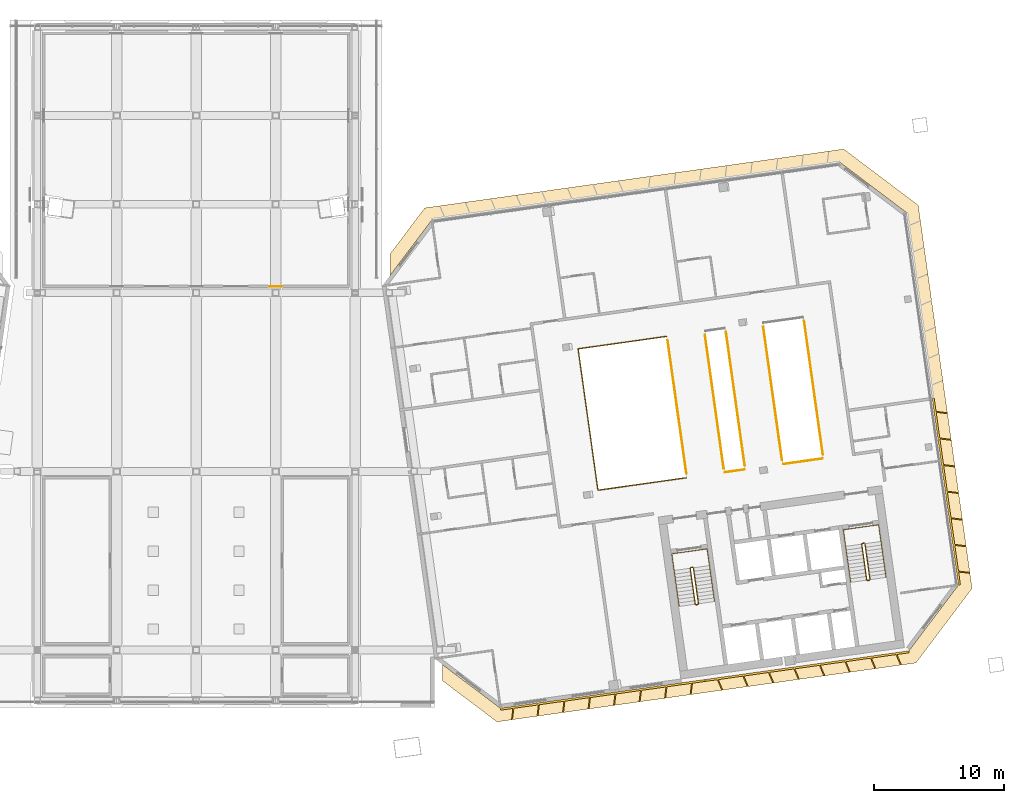
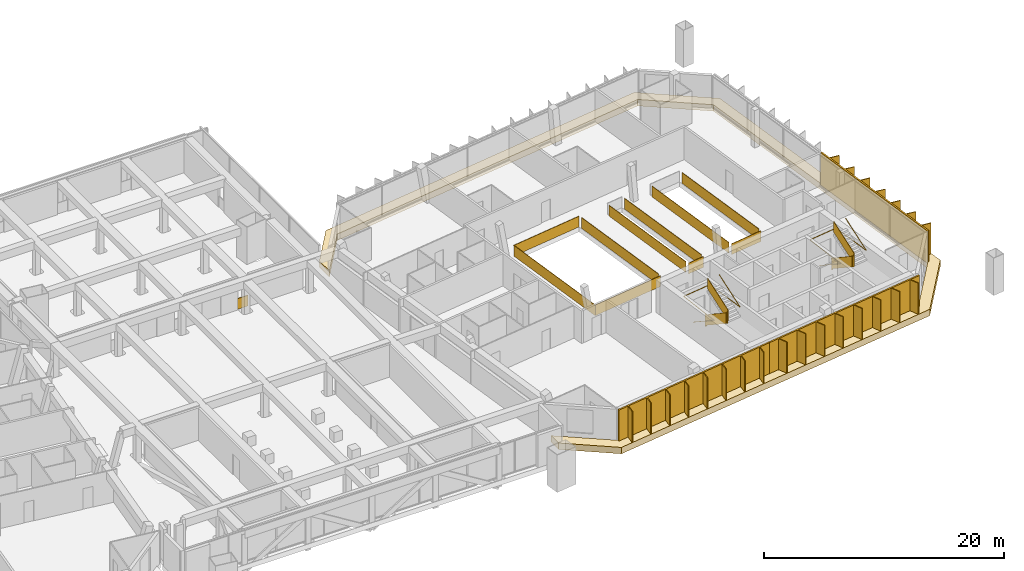
# One storey, part 28 of 30: 13 railings, 3 shading devices, 1 covering.
"""IFC4 building model written with IfcOpenShell, lengths in metres."""

from ifc_helpers import new_model, si_unit, direction, frame, origin, origin_2d, place, context, subcontext, project, spatial, polyline, rectangle, outline, extrude, material, layer, layer_set, type_object, element, save


model = new_model("IFC4")

# Units and contexts
model_context = context("Model", 3, precision=1e-05, world=origin(), true_north=direction((0.0, 1.0)))
body_context = subcontext(model_context, "Body", "Model", "MODEL_VIEW")
ifc_project = project(units=[si_unit("LENGTHUNIT", "METRE"), si_unit("AREAUNIT", "SQUARE_METRE"), si_unit("VOLUMEUNIT", "CUBIC_METRE"), si_unit("PLANEANGLEUNIT", "RADIAN"), si_unit("MASSUNIT", "GRAM", prefix="KILO")], contexts=[model_context])

# Site, building, storey
site_placement = place(None, origin())
site = spatial("IfcSite", under=ifc_project, at=site_placement, CompositionType="ELEMENT")
building_placement = place(site_placement, origin())
building = spatial("IfcBuilding", under=site, at=building_placement, Name="Mirante Cascada Hotel Towers", CompositionType="ELEMENT")
storey_placement = place(building_placement, frame((0.0, 0.0, 258.4)))
storey = spatial("IfcBuildingStorey", under=building, at=storey_placement, Name="L62", CompositionType="ELEMENT", Elevation=258.4)

# Railings
ifc_material_1 = material(Name="Toughened glass with stainless steel handrail", Category="steel")
railing_type_1 = type_object("IfcRailingType", Name="Atrium guard 1100 glass balustrade", PredefinedType="GUARDRAIL", material=ifc_material_1)
railing_1_placement = place(storey_placement, frame((36.2506, 6.5531, 0.0)))
element("IfcRailing", 1, at=railing_1_placement, inside=storey, type_object=railing_type_1, Name="GUARD 2-L62-1", PredefinedType="GUARDRAIL", context=body_context, shape_type="SweptSolid", body=[
    extrude(rectangle(XDim=0.048, YDim=0.048, at=origin_2d()), frame((0.0, 0.0, 1.076), z_axis=(0.0, 1.0, 0.0), x_axis=(-1.0, 0.0, 0.0)), (0.0, 0.0, 1.0), 0.0001),
    extrude(rectangle(XDim=0.02, YDim=1.052, at=origin_2d()), frame((0.0, 0.0, 0.526), z_axis=(0.0, 1.0, 0.0), x_axis=(-1.0, 0.0, 0.0)), (0.0, 0.0, 1.0), 0.0001),
    extrude(rectangle(XDim=0.048, YDim=0.048, at=origin_2d()), frame((0.0, 0.0001, 1.076), z_axis=(-0.9902667, -0.1391827, 0.0), x_axis=(0.1391827, -0.9902667, 0.0)), (0.0, 0.0, 1.0), 6.8802),
    extrude(rectangle(XDim=0.02, YDim=1.052, at=origin_2d()), frame((0.0, 0.0001, 0.526), z_axis=(-0.9902667, -0.1391827, 0.0), x_axis=(0.1391827, -0.9902667, 0.0)), (0.0, 0.0, 1.0), 6.8802),
    extrude(rectangle(XDim=0.048, YDim=0.048, at=origin_2d()), frame((-6.8132, -0.9575, 1.076), z_axis=(0.1391733, -0.990268, 0.0), x_axis=(0.990268, 0.1391733, 0.0)), (0.0, 0.0, 1.0), 11.0),
    extrude(rectangle(XDim=0.02, YDim=1.052, at=origin_2d()), frame((-6.8132, -0.9575, 0.526), z_axis=(0.1391733, -0.990268, 0.0), x_axis=(0.990268, 0.1391733, 0.0)), (0.0, 0.0, 1.0), 11.0),
    extrude(rectangle(XDim=0.048, YDim=0.048, at=origin_2d()), frame((-5.2823, -11.8504, 1.076), z_axis=(0.9902687, 0.1391684, 0.0), x_axis=(-0.1391684, 0.9902687, 0.0)), (0.0, 0.0, 1.0), 6.8802),
    extrude(rectangle(XDim=0.02, YDim=1.052, at=origin_2d()), frame((-5.2823, -11.8504, 0.526), z_axis=(0.9902687, 0.1391684, 0.0), x_axis=(-0.1391684, 0.9902687, 0.0)), (0.0, 0.0, 1.0), 6.8802),
])
railing_2_placement = place(storey_placement, frame((40.7523, -3.9223, 0.0)))
element("IfcRailing", 2, at=railing_2_placement, inside=storey, type_object=railing_type_1, Name="GUARD 2-L62-2", PredefinedType="GUARDRAIL", context=body_context, shape_type="SweptSolid", body=[
    extrude(rectangle(XDim=0.048, YDim=0.048, at=origin_2d()), frame((0.0, 0.0, 1.076), z_axis=(0.9902703, 0.1391573, 0.0), x_axis=(-0.1391573, 0.9902703, 0.0)), (0.0, 0.0, 1.0), 1.54),
    extrude(rectangle(XDim=0.02, YDim=1.052, at=origin_2d()), frame((0.0, 0.0, 0.526), z_axis=(0.9902703, 0.1391573, 0.0), x_axis=(-0.1391573, 0.9902703, 0.0)), (0.0, 0.0, 1.0), 1.54),
])
railing_3_placement = place(storey_placement, frame((45.2481, -3.2904, 0.0)))
element("IfcRailing", 3, at=railing_3_placement, inside=storey, type_object=railing_type_1, Name="GUARD 2-L62-4", PredefinedType="GUARDRAIL", context=body_context, shape_type="SweptSolid", body=[
    extrude(rectangle(XDim=0.048, YDim=0.048, at=origin_2d()), frame((0.0, 0.0, 1.076), z_axis=(0.9902697, 0.1391618, 0.0), x_axis=(-0.1391618, 0.9902697, 0.0)), (0.0, 0.0, 1.0), 3.0799),
    extrude(rectangle(XDim=0.02, YDim=1.052, at=origin_2d()), frame((0.0, 0.0, 0.526), z_axis=(0.9902697, 0.1391618, 0.0), x_axis=(-0.1391618, 0.9902697, 0.0)), (0.0, 0.0, 1.0), 3.0799),
    extrude(rectangle(XDim=0.048, YDim=0.048, at=origin_2d()), frame((3.0499, 0.4286, 1.076), z_axis=(-0.9901485, -0.140021, 0.0), x_axis=(0.140021, -0.9901485, 0.0)), (0.0, 0.0, 1.0), 0.04),
    extrude(rectangle(XDim=0.02, YDim=1.052, at=origin_2d()), frame((3.0499, 0.4286, 0.526), z_axis=(-0.9901485, -0.140021, 0.0), x_axis=(0.140021, -0.9901485, 0.0)), (0.0, 0.0, 1.0), 0.04),
])
railing_4_placement = place(storey_placement, frame((37.7889, -4.0402, 0.0)))
element("IfcRailing", 4, at=railing_4_placement, inside=storey, type_object=railing_type_1, Name="GUARD 2-L62-6", PredefinedType="GUARDRAIL", context=body_context, shape_type="SweptSolid", body=[
    extrude(rectangle(XDim=0.048, YDim=0.048, at=origin_2d()), frame((0.0, 0.0, 1.076), z_axis=(-0.1391721, 0.9902682, 0.0), x_axis=(-0.9902682, -0.1391721, 0.0)), (0.0, 0.0, 1.0), 10.4087),
    extrude(rectangle(XDim=0.02, YDim=1.052, at=origin_2d()), frame((0.0, 0.0, 0.526), z_axis=(-0.1391721, 0.9902682, 0.0), x_axis=(-0.9902682, -0.1391721, 0.0)), (0.0, 0.0, 1.0), 10.4087),
])
railing_5_placement = place(storey_placement, frame((39.214, 6.6711, 0.0)))
element("IfcRailing", 5, at=railing_5_placement, inside=storey, type_object=railing_type_1, Name="GUARD 2-L62-7", PredefinedType="GUARDRAIL", context=body_context, shape_type="SweptSolid", body=[
    extrude(rectangle(XDim=0.048, YDim=0.048, at=origin_2d()), frame((0.0, 0.0, 1.076), z_axis=(0.1391721, -0.9902682, 0.0), x_axis=(0.9902682, 0.1391721, 0.0)), (0.0, 0.0, 1.0), 10.4087),
    extrude(rectangle(XDim=0.02, YDim=1.052, at=origin_2d()), frame((0.0, 0.0, 0.526), z_axis=(0.1391721, -0.9902682, 0.0), x_axis=(0.9902682, 0.1391721, 0.0)), (0.0, 0.0, 1.0), 10.4087),
])
railing_6_placement = place(storey_placement, frame((42.2847, -3.4084, 0.0)))
element("IfcRailing", 6, at=railing_6_placement, inside=storey, type_object=railing_type_1, Name="GUARD 2-L62-8", PredefinedType="GUARDRAIL", context=body_context, shape_type="SweptSolid", body=[
    extrude(rectangle(XDim=0.048, YDim=0.048, at=origin_2d()), frame((0.0, 0.0, 1.076), z_axis=(-0.1391721, 0.9902682, 0.0), x_axis=(-0.9902682, -0.1391721, 0.0)), (0.0, 0.0, 1.0), 10.4087),
    extrude(rectangle(XDim=0.02, YDim=1.052, at=origin_2d()), frame((0.0, 0.0, 0.526), z_axis=(-0.1391721, 0.9902682, 0.0), x_axis=(-0.9902682, -0.1391721, 0.0)), (0.0, 0.0, 1.0), 10.4087),
])
railing_7_placement = place(storey_placement, frame((43.7098, 7.3029, 0.0)))
element("IfcRailing", 7, at=railing_7_placement, inside=storey, type_object=railing_type_1, Name="GUARD 2-L62-9", PredefinedType="GUARDRAIL", context=body_context, shape_type="SweptSolid", body=[
    extrude(rectangle(XDim=0.048, YDim=0.048, at=origin_2d()), frame((0.0, 0.0, 1.076), z_axis=(0.1391721, -0.9902682, 0.0), x_axis=(0.9902682, 0.1391721, 0.0)), (0.0, 0.0, 1.0), 10.4087),
    extrude(rectangle(XDim=0.02, YDim=1.052, at=origin_2d()), frame((0.0, 0.0, 0.526), z_axis=(0.1391721, -0.9902682, 0.0), x_axis=(0.9902682, 0.1391721, 0.0)), (0.0, 0.0, 1.0), 10.4087),
])
railing_8_placement = place(storey_placement, frame((48.3064, -2.5622, 0.0)))
element("IfcRailing", 8, at=railing_8_placement, inside=storey, type_object=railing_type_1, Name="GUARD 2-L62-10", PredefinedType="GUARDRAIL", context=body_context, shape_type="SweptSolid", body=[
    extrude(rectangle(XDim=0.048, YDim=0.048, at=origin_2d()), frame((0.0, 0.0, 1.076), z_axis=(-0.1391776, 0.9902674, 0.0), x_axis=(-0.9902674, -0.1391776, 0.0)), (0.0, 0.0, 1.0), 10.409),
    extrude(rectangle(XDim=0.02, YDim=1.052, at=origin_2d()), frame((0.0, 0.0, 0.526), z_axis=(-0.1391776, 0.9902674, 0.0), x_axis=(-0.9902674, -0.1391776, 0.0)), (0.0, 0.0, 1.0), 10.409),
])

# Covering
ifc_material_2 = material(Name="Precast concrete C40/50 white", Category="concrete")
ifc_layer = layer(ifc_material_2, 0.6)
ifc_layer_set = layer_set([ifc_layer], Name="Precast concrete SUNSHADE band 1000x600")
covering_type = type_object("IfcCoveringType", Name="Precast concrete SUNSHADE band 1000x600", PredefinedType="CLADDING", material=ifc_layer_set)
covering_placement = place(storey_placement, frame((0.0, 0.0, -0.5)))
element("IfcCovering", 9, at=covering_placement, inside=storey, type_object=covering_type, Name="Precast concrete SUNSHADE band T2 L62", PredefinedType="CLADDING", context=body_context, shape_type="SweptSolid", body=[
    extrude(outline(polyline([(49.9078, 20.9944), (55.6518, 16.6659), (59.8032, -12.8722), (55.4747, -18.6163), (23.1839, -23.1545), (18.9724, -19.9809), (18.9724, -18.7288), (23.4549, -22.1066), (54.9253, -17.6837), (58.7552, -12.6012), (54.7192, 16.1166), (49.6367, 19.9465), (18.1663, 15.5236), (14.9364, 11.2374), (14.9364, 12.899), (17.617, 16.4562), (49.9078, 20.9944)])), origin(), (0.0, 0.0, 1.0), 0.65),
])

# Railings
ifc_material_3 = material(Name="Painted steel", Category="steel")
railing_type_2 = type_object("IfcRailingType", Name="Stair guard 1100 steel balustrade", PredefinedType="GUARDRAIL", material=ifc_material_3)
railing_9_placement = place(storey_placement, frame((38.2663, -11.2395, 0.0)))
element("IfcRailing", 10, at=railing_9_placement, inside=storey, type_object=railing_type_2, Name="L62 ST2-A stair guard 1", PredefinedType="GUARDRAIL", context=body_context, shape_type="SweptSolid", body=[
    extrude(rectangle(XDim=0.048, YDim=0.048, at=origin_2d()), frame((0.0, 0.0, 1.076), z_axis=(-0.9903326, -0.1387133, 0.0), x_axis=(0.1387133, -0.9903326, 0.0)), (0.0, 0.0, 1.0), 0.1499),
    extrude(rectangle(XDim=0.02, YDim=1.052, at=origin_2d()), frame((0.0, 0.0, 0.526), z_axis=(-0.9903326, -0.1387133, 0.0), x_axis=(0.1387133, -0.9903326, 0.0)), (0.0, 0.0, 1.0), 0.1499),
    extrude(rectangle(XDim=0.048, YDim=0.048, at=origin_2d()), frame((-0.1485, -0.0208, 1.076), z_axis=(-0.6020331, -0.7984711, 0.0), x_axis=(0.7984711, -0.6020331, 0.0)), (0.0, 0.9253398, 0.3791387), 0.1866),
    extrude(rectangle(XDim=0.02, YDim=1.052, at=origin_2d()), frame((-0.1485, -0.0208, 0.526), z_axis=(-0.6020331, -0.7984711, 0.0), x_axis=(0.7984711, -0.6020331, 0.0)), (0.0, 0.9253398, 0.3791387), 0.1866),
    extrude(rectangle(XDim=0.048, YDim=0.048, at=origin_2d()), frame((-0.1911, -0.0773, 1.2487), z_axis=(0.139176, -0.9902677, 0.0), x_axis=(0.9902677, 0.139176, 0.0)), (0.0, 0.5250212, 0.8510891), 3.29),
    extrude(rectangle(XDim=0.02, YDim=1.052, at=origin_2d()), frame((-0.1911, -0.0773, 0.6987), z_axis=(0.139176, -0.9902677, 0.0), x_axis=(0.9902677, 0.139176, 0.0)), (0.0, 0.5250212, 0.8510891), 3.29),
    extrude(rectangle(XDim=0.048, YDim=0.048, at=origin_2d()), frame((0.1986, -2.8501, 2.976), z_axis=(0.9944948, -0.1047858, 0.0), x_axis=(0.1047858, 0.9944948, 0.0)), (0.0, 0.0, 1.0), 0.2061),
    extrude(rectangle(XDim=0.02, YDim=1.052, at=origin_2d()), frame((0.1986, -2.8501, 2.426), z_axis=(0.9944948, -0.1047858, 0.0), x_axis=(0.1047858, 0.9944948, 0.0)), (0.0, 0.0, 1.0), 0.2061),
    extrude(rectangle(XDim=0.048, YDim=0.048, at=origin_2d()), frame((0.4036, -2.8717, 2.976), z_axis=(-0.9902408, -0.1393672, 0.0), x_axis=(0.1393672, -0.9902408, 0.0)), (0.0, 0.0, 1.0), 0.15),
    extrude(rectangle(XDim=0.02, YDim=1.052, at=origin_2d()), frame((0.4036, -2.8717, 2.426), z_axis=(-0.9902408, -0.1393672, 0.0), x_axis=(0.1393672, -0.9902408, 0.0)), (0.0, 0.0, 1.0), 0.15),
    extrude(rectangle(XDim=0.048, YDim=0.048, at=origin_2d()), frame((0.2551, -2.8926, 2.976), z_axis=(0.9270311, 0.3749843, 0.0), x_axis=(-0.3749843, 0.9270311, 0.0)), (0.0, 0.6421903, 0.7665452), 0.2689),
    extrude(rectangle(XDim=0.02, YDim=1.052, at=origin_2d()), frame((0.2551, -2.8926, 2.426), z_axis=(0.9270311, 0.3749843, 0.0), x_axis=(-0.3749843, 0.9270311, 0.0)), (0.0, 0.6421903, 0.7665452), 0.2689),
    extrude(rectangle(XDim=0.048, YDim=0.048, at=origin_2d()), frame((0.4462, -2.8153, 3.1487), z_axis=(-0.139176, 0.9902677, 0.0), x_axis=(-0.9902677, -0.139176, 0.0)), (0.0, 0.5250212, 0.8510891), 3.29),
    extrude(rectangle(XDim=0.02, YDim=1.052, at=origin_2d()), frame((0.4462, -2.8153, 2.5987), z_axis=(-0.139176, 0.9902677, 0.0), x_axis=(-0.9902677, -0.139176, 0.0)), (0.0, 0.5250212, 0.8510891), 3.29),
])
railing_10_placement = place(storey_placement, frame((51.4864, -9.3815, 0.0)))
element("IfcRailing", 11, at=railing_10_placement, inside=storey, type_object=railing_type_2, Name="L62 ST2-B stair guard 1", PredefinedType="GUARDRAIL", context=body_context, shape_type="SweptSolid", body=[
    extrude(rectangle(XDim=0.048, YDim=0.048, at=origin_2d()), frame((0.0, 0.0, 1.076), z_axis=(-0.9902408, -0.1393672, 0.0), x_axis=(0.1393672, -0.9902408, 0.0)), (0.0, 0.0, 1.0), 0.15),
    extrude(rectangle(XDim=0.02, YDim=1.052, at=origin_2d()), frame((0.0, 0.0, 0.526), z_axis=(-0.9902408, -0.1393672, 0.0), x_axis=(0.1393672, -0.9902408, 0.0)), (0.0, 0.0, 1.0), 0.15),
    extrude(rectangle(XDim=0.048, YDim=0.048, at=origin_2d()), frame((-0.1485, -0.0209, 1.076), z_axis=(-0.6020331, -0.7984711, 0.0), x_axis=(0.7984711, -0.6020331, 0.0)), (0.0, 0.9253398, 0.3791387), 0.1866),
    extrude(rectangle(XDim=0.02, YDim=1.052, at=origin_2d()), frame((-0.1485, -0.0209, 0.526), z_axis=(-0.6020331, -0.7984711, 0.0), x_axis=(0.7984711, -0.6020331, 0.0)), (0.0, 0.9253398, 0.3791387), 0.1866),
    extrude(rectangle(XDim=0.048, YDim=0.048, at=origin_2d()), frame((-0.1911, -0.0774, 1.2487), z_axis=(0.139181, -0.990267, 0.0), x_axis=(0.990267, 0.139181, 0.0)), (0.0, 0.5250347, 0.8510808), 3.2899),
    extrude(rectangle(XDim=0.02, YDim=1.052, at=origin_2d()), frame((-0.1911, -0.0774, 0.6987), z_axis=(0.139181, -0.990267, 0.0), x_axis=(0.990267, 0.139181, 0.0)), (0.0, 0.5250347, 0.8510808), 3.2899),
    extrude(rectangle(XDim=0.048, YDim=0.048, at=origin_2d()), frame((0.1986, -2.8501, 2.976), z_axis=(0.9944441, -0.1052656, 0.0), x_axis=(0.1052656, 0.9944441, 0.0)), (0.0, 0.0, 1.0), 0.2061),
    extrude(rectangle(XDim=0.02, YDim=1.052, at=origin_2d()), frame((0.1986, -2.8501, 2.426), z_axis=(0.9944441, -0.1052656, 0.0), x_axis=(0.1052656, 0.9944441, 0.0)), (0.0, 0.0, 1.0), 0.2061),
    extrude(rectangle(XDim=0.048, YDim=0.048, at=origin_2d()), frame((0.4036, -2.8718, 2.976), z_axis=(-0.9902408, -0.1393672, 0.0), x_axis=(0.1393672, -0.9902408, 0.0)), (0.0, 0.0, 1.0), 0.15),
    extrude(rectangle(XDim=0.02, YDim=1.052, at=origin_2d()), frame((0.4036, -2.8718, 2.426), z_axis=(-0.9902408, -0.1393672, 0.0), x_axis=(0.1393672, -0.9902408, 0.0)), (0.0, 0.0, 1.0), 0.15),
    extrude(rectangle(XDim=0.048, YDim=0.048, at=origin_2d()), frame((0.2551, -2.8927, 2.976), z_axis=(0.9268624, 0.3754011, 0.0), x_axis=(-0.3754011, 0.9268624, 0.0)), (0.0, 0.6421217, 0.7666028), 0.269),
    extrude(rectangle(XDim=0.02, YDim=1.052, at=origin_2d()), frame((0.2551, -2.8927, 2.426), z_axis=(0.9268624, 0.3754011, 0.0), x_axis=(-0.3754011, 0.9268624, 0.0)), (0.0, 0.6421217, 0.7666028), 0.269),
    extrude(rectangle(XDim=0.048, YDim=0.048, at=origin_2d()), frame((0.4462, -2.8153, 3.1487), z_axis=(-0.139181, 0.990267, 0.0), x_axis=(-0.990267, -0.139181, 0.0)), (0.0, 0.5250347, 0.8510808), 3.2899),
    extrude(rectangle(XDim=0.02, YDim=1.052, at=origin_2d()), frame((0.4462, -2.8153, 2.5987), z_axis=(-0.139181, 0.990267, 0.0), x_axis=(-0.990267, -0.139181, 0.0)), (0.0, 0.5250347, 0.8510808), 3.2899),
])
ifc_material_4 = material(Name="Painted steel", Category="steel")
railing_type_3 = type_object("IfcRailingType", Name="Stair handrail 900 steel tube", PredefinedType="HANDRAIL", material=ifc_material_4)
railing_11_placement = place(storey_placement, frame((36.8374, -11.4908, 0.1727)))
element("IfcRailing", 12, at=railing_11_placement, inside=storey, type_object=railing_type_3, Name="L62 ST2-A stair handrail 1", PredefinedType="HANDRAIL", context=body_context, shape_type="SweptSolid", body=[
    extrude(rectangle(XDim=0.048, YDim=0.048, at=origin_2d()), frame((0.0, 0.0, 0.876), z_axis=(0.139181, -0.990267, 0.0), x_axis=(0.990267, 0.139181, 0.0)), (0.0, 0.5250347, 0.8510808), 3.2899),
    extrude(rectangle(XDim=0.048, YDim=0.048, at=origin_2d()), frame((0.3897, -2.7727, 2.6033), z_axis=(-0.1391707, 0.9902684, 0.0), x_axis=(-0.9902684, -0.1391707, 0.0)), (0.0, 0.0420846, 0.999114), 4.1036),
    extrude(rectangle(XDim=0.048, YDim=0.048, at=origin_2d()), frame((-0.1809, 1.2874, 2.776), z_axis=(0.9902691, 0.1391657, 0.0), x_axis=(-0.1391657, 0.9902691, 0.0)), (0.0, 0.0, 1.0), 2.75),
    extrude(rectangle(XDim=0.048, YDim=0.048, at=origin_2d()), frame((2.5423, 1.6701, 2.776), z_axis=(0.1391707, -0.9902684, 0.0), x_axis=(0.9902684, 0.1391707, 0.0)), (0.0, 0.0, 1.0), 4.1),
    extrude(rectangle(XDim=0.048, YDim=0.048, at=origin_2d()), frame((3.1129, -2.39, 2.776), z_axis=(-0.139181, 0.990267, 0.0), x_axis=(-0.990267, -0.139181, 0.0)), (0.0, 0.5250347, 0.8510808), 3.2899),
])
railing_12_placement = place(storey_placement, frame((50.0575, -9.6328, 0.1727)))
element("IfcRailing", 13, at=railing_12_placement, inside=storey, type_object=railing_type_3, Name="L62 ST2-B stair handrail 1", PredefinedType="HANDRAIL", context=body_context, shape_type="SweptSolid", body=[
    extrude(rectangle(XDim=0.048, YDim=0.048, at=origin_2d()), frame((0.0, 0.0, 0.876), z_axis=(0.139176, -0.9902677, 0.0), x_axis=(0.9902677, 0.139176, 0.0)), (0.0, 0.5250212, 0.8510891), 3.29),
    extrude(rectangle(XDim=0.048, YDim=0.048, at=origin_2d()), frame((0.3897, -2.7728, 2.6033), z_axis=(-0.1391707, 0.9902684, 0.0), x_axis=(-0.9902684, -0.1391707, 0.0)), (0.0, 0.0420846, 0.999114), 4.1036),
    extrude(rectangle(XDim=0.048, YDim=0.048, at=origin_2d()), frame((-0.1809, 1.2873, 2.776), z_axis=(0.9902641, 0.1392013, 0.0), x_axis=(-0.1392013, 0.9902641, 0.0)), (0.0, 0.0, 1.0), 2.75),
    extrude(rectangle(XDim=0.048, YDim=0.048, at=origin_2d()), frame((2.5423, 1.6701, 2.776), z_axis=(0.1391707, -0.9902684, 0.0), x_axis=(0.9902684, 0.1391707, 0.0)), (0.0, 0.0, 1.0), 4.1),
    extrude(rectangle(XDim=0.048, YDim=0.048, at=origin_2d()), frame((3.1129, -2.39, 2.776), z_axis=(-0.139181, 0.990267, 0.0), x_axis=(-0.990267, -0.139181, 0.0)), (0.0, 0.5250347, 0.8510808), 3.2899),
])
ifc_material_5 = material(Name="Toughened glass", Category="glass")
railing_type_4 = type_object("IfcRailingType", Name="Truss bay glazed screen 1100", PredefinedType="GUARDRAIL", material=ifc_material_5)
railing_13_placement = place(storey_placement, frame((5.63, 10.41, 0.0)))
element("IfcRailing", 14, at=railing_13_placement, inside=storey, type_object=railing_type_4, Name="Truss bay glazed screen L62 3", PredefinedType="GUARDRAIL", context=body_context, shape_type="SweptSolid", body=[
    extrude(rectangle(XDim=0.048, YDim=0.048, at=origin_2d()), frame((0.0, 0.0, 1.076), z_axis=(1.0, 0.0, 0.0), x_axis=(0.0, 1.0, 0.0)), (0.0, 0.0, 1.0), 1.0),
    extrude(rectangle(XDim=0.02, YDim=1.052, at=origin_2d()), frame((0.0, 0.0, 0.526), z_axis=(1.0, 0.0, 0.0), x_axis=(0.0, 1.0, 0.0)), (0.0, 0.0, 1.0), 1.0),
])

# Shading devices
ifc_material_6 = material(Name="White precast concrete C50/60 fin", Category="concrete")
shading_device_type = type_object("IfcShadingDeviceType", Name="Vertical fin set 4500x900", PredefinedType="USERDEFINED", material=ifc_material_6)
shading_device_1_placement = place(storey_placement, origin())
element("IfcShadingDevice", 15, at=shading_device_1_placement, inside=storey, type_object=shading_device_type, Name="FIN T2 L62 outer 1", ObjectType="FIN", PredefinedType="USERDEFINED", context=body_context, shape_type="SweptSolid", body=[
    extrude(outline(polyline([(59.5985, -11.711), (58.7673, -11.609), (58.9038, -12.5803), (58.7552, -12.6012), (56.7372, 1.7577), (56.8858, 1.7785), (57.026, 0.7807), (57.8786, 0.676), (57.8688, 0.5966), (57.0375, 0.6986), (57.3143, -1.2706), (58.1669, -1.3753), (58.1571, -1.4547), (57.3258, -1.3526), (57.6026, -3.3219), (58.4551, -3.4266), (58.4454, -3.506), (57.6141, -3.4039), (57.8909, -5.3732), (58.7434, -5.4778), (58.7337, -5.5572), (57.9024, -5.4552), (58.1792, -7.4244), (59.0317, -7.5291), (59.022, -7.6085), (58.1907, -7.5064), (58.4675, -9.4757), (59.32, -9.5804), (59.3103, -9.6598), (58.479, -9.5577), (58.7557, -11.527), (59.6083, -11.6316), (59.5985, -11.711)])), origin(), (0.0, 0.0, 1.0), 3.3),
])
shading_device_2_placement = place(storey_placement, origin())
element("IfcShadingDevice", 16, at=shading_device_2_placement, inside=storey, type_object=shading_device_type, Name="FIN T2 L62 rear 1", ObjectType="FIN", PredefinedType="USERDEFINED", context=body_context, shape_type="SweptSolid", body=[
    extrude(outline(polyline([(24.3029, -22.9558), (24.405, -22.1245), (23.4758, -22.2551), (23.4549, -22.1066), (39.1901, -19.8951), (39.211, -20.0437), (38.2553, -20.178), (38.1506, -21.0305), (38.0712, -21.0208), (38.1733, -20.1895), (36.2884, -20.4544), (36.1837, -21.307), (36.1043, -21.2972), (36.2064, -20.466), (34.3215, -20.7309), (34.2168, -21.5834), (34.1374, -21.5737), (34.2395, -20.7424), (32.3546, -21.0073), (32.2499, -21.8598), (32.1705, -21.8501), (32.2726, -21.0188), (30.3877, -21.2837), (30.283, -22.1363), (30.2036, -22.1265), (30.3057, -21.2952), (28.4208, -21.5601), (28.3161, -22.4127), (28.2367, -22.4029), (28.3388, -21.5717), (26.4539, -21.8366), (26.3492, -22.6891), (26.2698, -22.6794), (26.3719, -21.8481), (24.487, -22.113), (24.3823, -22.9656), (24.3029, -22.9558)])), origin(), (0.0, 0.0, 1.0), 3.3),
])
shading_device_3_placement = place(storey_placement, origin())
element("IfcShadingDevice", 17, at=shading_device_3_placement, inside=storey, type_object=shading_device_type, Name="FIN T2 L62 rear 2", ObjectType="FIN", PredefinedType="USERDEFINED", context=body_context, shape_type="SweptSolid", body=[
    extrude(outline(polyline([(40.5023, -20.7), (40.1667, -19.9094), (39.211, -20.0437), (39.1901, -19.8951), (54.9253, -17.6837), (54.9462, -17.8322), (54.017, -17.9628), (54.3443, -18.7338), (54.2706, -18.765), (53.935, -17.9744), (52.0501, -18.2393), (52.3774, -19.0102), (52.3037, -19.0415), (51.9681, -18.2508), (50.0832, -18.5157), (50.4105, -19.2866), (50.3368, -19.3179), (50.0012, -18.5272), (48.1163, -18.7921), (48.4436, -19.5631), (48.3699, -19.5943), (48.0343, -18.8036), (46.1494, -19.0685), (46.4767, -19.8395), (46.403, -19.8707), (46.0674, -19.0801), (44.1825, -19.345), (44.5098, -20.1159), (44.4361, -20.1472), (44.1005, -19.3565), (42.2156, -19.6214), (42.5429, -20.3923), (42.4692, -20.4236), (42.1336, -19.6329), (40.2487, -19.8978), (40.576, -20.6688), (40.5023, -20.7)])), origin(), (0.0, 0.0, 1.0), 3.3),
])

save(model, "model.ifc")
